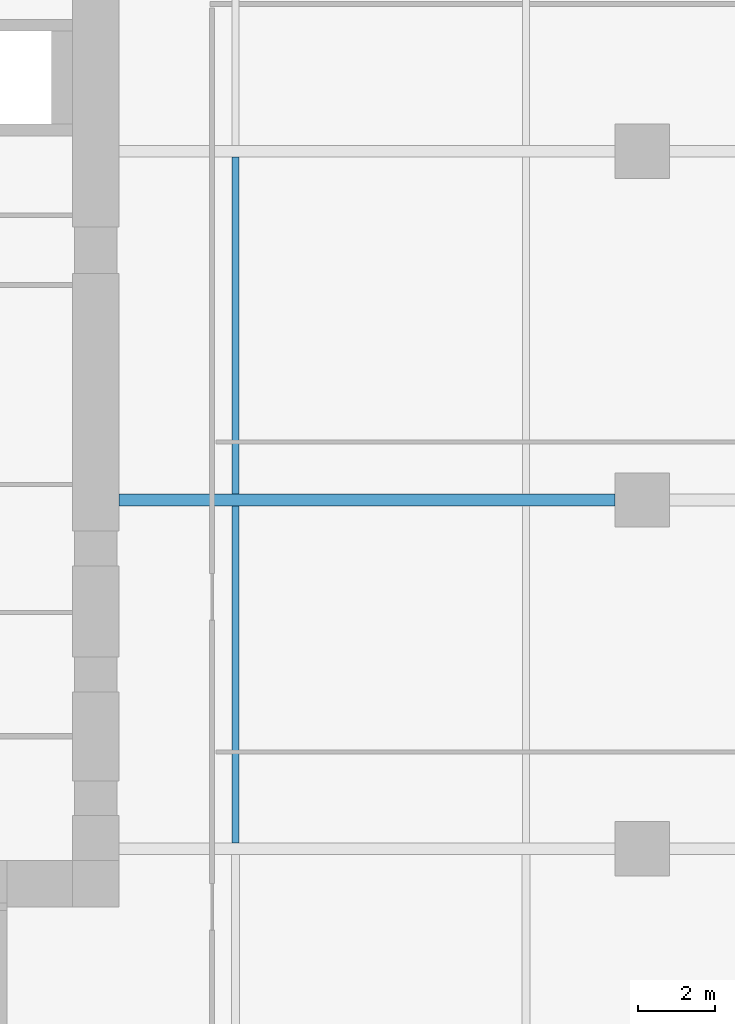
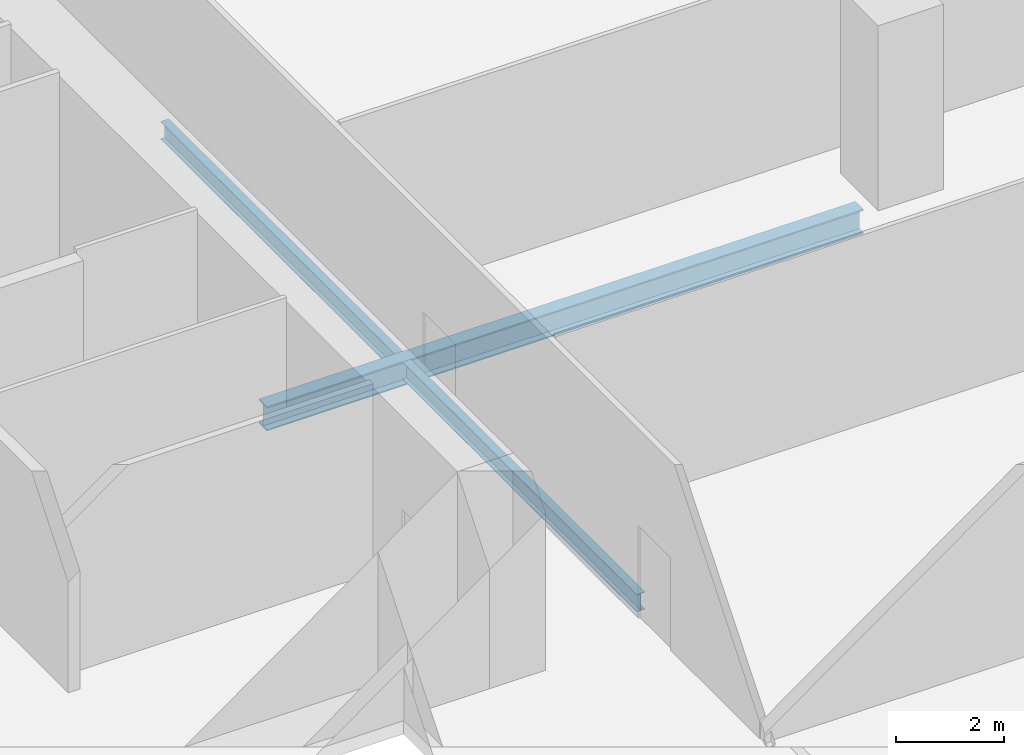
# One storey, part 6 of 33: 3 beams.
"""IFC4 building model written with IfcOpenShell, lengths in metres."""

from ifc_helpers import new_model, si_unit, direction, frame, origin, origin_2d, place, context, subcontext, project, spatial, i_section, extrude, source, transform, mapped, material, material_profile, profile_set, type_object, element, save


model = new_model("IFC4")

# Units and contexts
model_context = context("Model", 3, precision=1e-05, world=origin(), true_north=direction((0.0, 1.0)))
body_context = subcontext(model_context, "Body", "Model", "MODEL_VIEW")
ifc_project = project(units=[si_unit("LENGTHUNIT", "METRE"), si_unit("AREAUNIT", "SQUARE_METRE"), si_unit("VOLUMEUNIT", "CUBIC_METRE"), si_unit("PLANEANGLEUNIT", "RADIAN"), si_unit("MASSUNIT", "GRAM", prefix="KILO")], contexts=[model_context])

# Site, building, storey
site_placement = place(None, origin())
site = spatial("IfcSite", under=ifc_project, at=site_placement, CompositionType="ELEMENT")
building_placement = place(site_placement, origin())
building = spatial("IfcBuilding", under=site, at=building_placement, Name="Khomas Fold Tower", CompositionType="ELEMENT")
storey_placement = place(building_placement, frame((0.0, 0.0, 55.5)))
storey = spatial("IfcBuildingStorey", under=building, at=storey_placement, Name="L11", CompositionType="ELEMENT", Elevation=55.5)

# Beams
ifc_material_1 = material(Name="Steel S355", Category="steel")
ifc_material_profile_1 = material_profile(ifc_material_1, i_section(OverallWidth=0.300048828125, OverallDepth=0.550048828125, WebThickness=0.014892578125, FlangeThickness=0.029052734375, at=origin_2d()), Name="HE 550 B")
ifc_profile_set_1 = profile_set([ifc_material_profile_1], Name="Steel S355")
beam_type_1 = type_object("IfcBeamType", Name="HE 550 B beam GB4", PredefinedType="BEAM", material=ifc_profile_set_1)
shared_shape_1 = source(origin(), body_context, "Body", "SweptSolid", [
    extrude(i_section(OverallWidth=0.300048828125, OverallDepth=0.550048828125, WebThickness=0.014892578125, FlangeThickness=0.029052734375, at=origin_2d()), origin(), (0.0, 0.0, 1.0), 12.800048828125),
])
beam_placement = place(storey_placement, frame((24.0, 22.5, -0.574951171875), z_axis=(1.0, 0.0, 0.0), x_axis=(0.0, 1.0, 0.0)))
element("IfcBeam", 1, at=beam_placement, inside=storey, type_object=beam_type_1, Name="GB4", PredefinedType="BEAM", context=body_context, shape_type="MappedRepresentation", body=[
    mapped(shared_shape_1, transform((0.0, 0.0, 0.0))),
])
ifc_material_2 = material(Name="Steel S355", Category="steel")
ifc_material_profile_2 = material_profile(ifc_material_2, i_section(OverallWidth=0.179931640625, OverallDepth=0.39990234375, WebThickness=0.008544921875, FlangeThickness=0.013427734375, at=origin_2d()), Name="IPE 400")
ifc_profile_set_2 = profile_set([ifc_material_profile_2], Name="Steel S355")
beam_type_2 = type_object("IfcBeamType", Name="IPE 400 beam JB3", PredefinedType="BEAM", material=ifc_profile_set_2)
shared_shape_2 = source(origin(), body_context, "Body", "SweptSolid", [
    extrude(i_section(OverallWidth=0.179931640625, OverallDepth=0.39990234375, WebThickness=0.008544921875, FlangeThickness=0.013427734375, at=origin_2d()), origin(), (0.0, 0.0, 1.0), 8.7001953125),
])
for number, where, z_axis, x_axis, name in (
    (2, (27.0, 13.64990234375, -0.5), (0.0, 1.0, 0.0), (-1.0, 0.0, 0.0), "JB3"),
    (3, (27.0, 22.64990234375, -0.5), (0.0, 1.0, 0.0), (-1.0, 0.0, 0.0), "JB3"),
):
    element("IfcBeam", number, at=place(storey_placement, frame(where, z_axis=z_axis, x_axis=x_axis)), inside=storey, type_object=beam_type_2, Name=name, PredefinedType="BEAM", context=body_context, shape_type="MappedRepresentation", body=[
        mapped(shared_shape_2, transform((0.0, 0.0, 0.0))),
    ])

save(model, "model.ifc")
